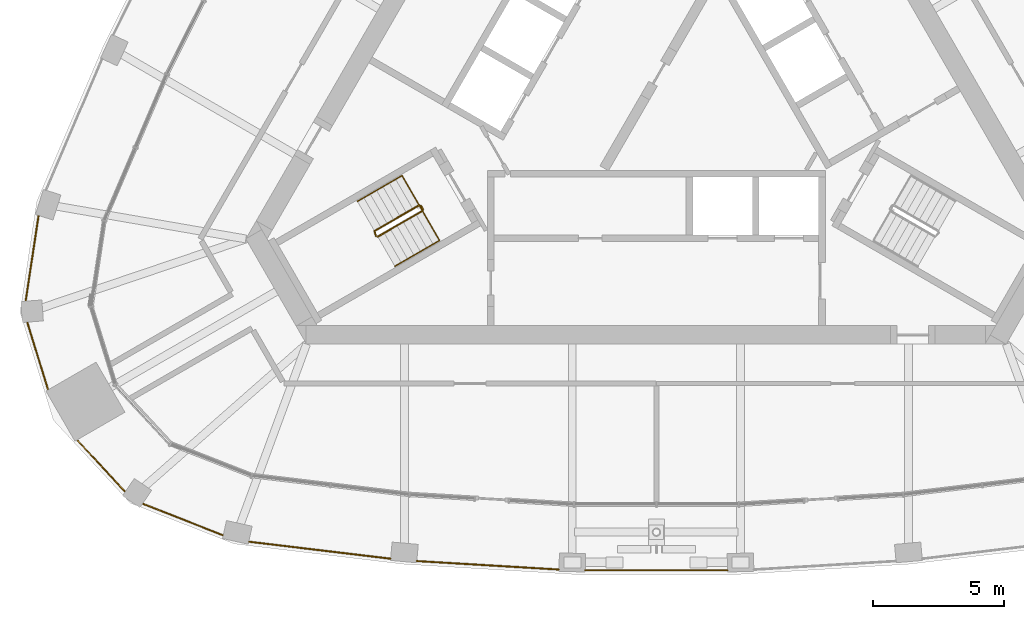
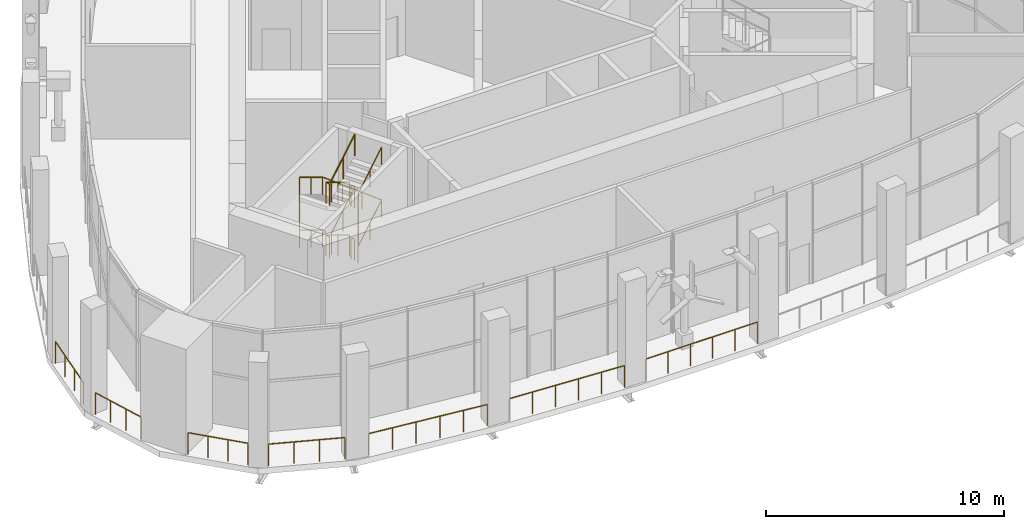
# One storey, part 18 of 23: 13 railings.
"""IFC4 building model written with IfcOpenShell, lengths in metres."""

from ifc_helpers import new_model, si_unit, direction, frame, origin, origin_2d, place, context, subcontext, project, spatial, circle, extrude, material, type_object, element, save


model = new_model("IFC4")

# Units and contexts
model_context = context("Model", 3, precision=1e-05, world=origin(), true_north=direction((0.0, 1.0)))
body_context = subcontext(model_context, "Body", "Model", "MODEL_VIEW")
ifc_project = project(units=[si_unit("LENGTHUNIT", "METRE"), si_unit("AREAUNIT", "SQUARE_METRE"), si_unit("VOLUMEUNIT", "CUBIC_METRE"), si_unit("PLANEANGLEUNIT", "RADIAN"), si_unit("MASSUNIT", "GRAM", prefix="KILO")], contexts=[model_context])

# Site, building, storey
site_placement = place(None, origin())
site = spatial("IfcSite", under=ifc_project, at=site_placement, CompositionType="ELEMENT")
building_placement = place(site_placement, origin())
building = spatial("IfcBuilding", under=site, at=building_placement, Name="Mestral Congress Tower", CompositionType="ELEMENT")
storey_placement = place(building_placement, frame((0.0, 0.0, 261.60009765625)))
storey = spatial("IfcBuildingStorey", under=building, at=storey_placement, Name="L61", CompositionType="ELEMENT", Elevation=261.60009765625)

# Railings
ifc_material_1 = material(Name="Stainless steel", Category="steel")
railing_type_1 = type_object("IfcRailingType", Name="Facade guard 1120 steel and glass", PredefinedType="GUARDRAIL", material=ifc_material_1)
railing_1_placement = place(storey_placement, frame((-15.492431640625, -17.867919921875, 0.0)))
element("IfcRailing", 1, at=railing_1_placement, inside=storey, type_object=railing_type_1, Name="Ring deck guard F0-00", PredefinedType="GUARDRAIL", context=body_context, shape_type="SweptSolid", body=[
    extrude(circle(Radius=0.02392578125, at=origin_2d()), frame((0.0, 0.0, 1.09619140625), z_axis=(0.992890912139, -0.119027881575, 0.0), x_axis=(0.119027881575, 0.992890912139, 0.0)), (0.0, 0.0, 1.0), 5.4150390625),
    extrude(circle(Radius=0.02099609375, at=origin_2d()), origin(), (0.0, 0.0, 1.0), 1.072021484375),
    extrude(circle(Radius=0.02099609375, at=origin_2d()), frame((1.0751953125, -0.12890625, 0.0)), (0.0, 0.0, 1.0), 1.072021484375),
    extrude(circle(Radius=0.02099609375, at=origin_2d()), frame((2.150634765625, -0.2578125, 0.0)), (0.0, 0.0, 1.0), 1.072021484375),
    extrude(circle(Radius=0.02099609375, at=origin_2d()), frame((3.225830078125, -0.38671875, 0.0)), (0.0, 0.0, 1.0), 1.072021484375),
    extrude(circle(Radius=0.02099609375, at=origin_2d()), frame((4.30126953125, -0.515625, 0.0)), (0.0, 0.0, 1.0), 1.072021484375),
    extrude(circle(Radius=0.02099609375, at=origin_2d()), frame((5.37646484375, -0.64453125, 0.0)), (0.0, 0.0, 1.0), 1.072021484375),
])
railing_2_placement = place(storey_placement, frame((-9.109375, -18.602783203125, 0.0)))
element("IfcRailing", 2, at=railing_2_placement, inside=storey, type_object=railing_type_1, Name="Ring deck guard F0-01", PredefinedType="GUARDRAIL", context=body_context, shape_type="SweptSolid", body=[
    extrude(circle(Radius=0.02392578125, at=origin_2d()), frame((0.0, 0.0, 1.09619140625), z_axis=(0.998221492823, -0.059614186786, 0.0), x_axis=(0.059614186786, 0.998221492823, 0.0)), (0.0, 0.0, 1.0), 5.40576171875),
    extrude(circle(Radius=0.02099609375, at=origin_2d()), origin(), (0.0, 0.0, 1.0), 1.072021484375),
    extrude(circle(Radius=0.02099609375, at=origin_2d()), frame((1.079345703125, -0.064453125, 0.0)), (0.0, 0.0, 1.0), 1.072021484375),
    extrude(circle(Radius=0.02099609375, at=origin_2d()), frame((2.158447265625, -0.12890625, 0.0)), (0.0, 0.0, 1.0), 1.072021484375),
    extrude(circle(Radius=0.02099609375, at=origin_2d()), frame((3.23779296875, -0.193359375, 0.0)), (0.0, 0.0, 1.0), 1.072021484375),
    extrude(circle(Radius=0.02099609375, at=origin_2d()), frame((4.31689453125, -0.2578125, 0.0)), (0.0, 0.0, 1.0), 1.072021484375),
    extrude(circle(Radius=0.02099609375, at=origin_2d()), frame((5.396240234375, -0.322265625, 0.0)), (0.0, 0.0, 1.0), 1.072021484375),
])
railing_3_placement = place(storey_placement, frame((-2.702880859375, -18.955078125, 0.0)))
element("IfcRailing", 3, at=railing_3_placement, inside=storey, type_object=railing_type_1, Name="Ring deck guard F0-02", PredefinedType="GUARDRAIL", context=body_context, shape_type="SweptSolid", body=[
    extrude(circle(Radius=0.02392578125, at=origin_2d()), frame((0.0, 0.0, 1.09619140625), z_axis=(1.0, 0.0, 0.0), x_axis=(0.0, 1.0, 0.0)), (0.0, 0.0, 1.0), 5.40576171875),
    extrude(circle(Radius=0.02099609375, at=origin_2d()), origin(), (0.0, 0.0, 1.0), 1.072021484375),
    extrude(circle(Radius=0.02099609375, at=origin_2d()), frame((1.0810546875, 0.0, 0.0)), (0.0, 0.0, 1.0), 1.072021484375),
    extrude(circle(Radius=0.02099609375, at=origin_2d()), frame((2.162353515625, 0.0, 0.0)), (0.0, 0.0, 1.0), 1.072021484375),
    extrude(circle(Radius=0.02099609375, at=origin_2d()), frame((3.243408203125, 0.0, 0.0)), (0.0, 0.0, 1.0), 1.072021484375),
    extrude(circle(Radius=0.02099609375, at=origin_2d()), frame((4.32470703125, 0.0, 0.0)), (0.0, 0.0, 1.0), 1.072021484375),
    extrude(circle(Radius=0.02099609375, at=origin_2d()), frame((5.40576171875, 0.0, 0.0)), (0.0, 0.0, 1.0), 1.072021484375),
])
railing_4_placement = place(storey_placement, frame((-23.5048828125, -5.481201171875, 0.0)))
element("IfcRailing", 4, at=railing_4_placement, inside=storey, type_object=railing_type_1, Name="Ring deck guard K2-0", PredefinedType="GUARDRAIL", context=body_context, shape_type="SweptSolid", body=[
    extrude(circle(Radius=0.02392578125, at=origin_2d()), frame((0.0, 0.0, 1.09619140625), z_axis=(-0.149347311305, -0.988784799947, 0.0), x_axis=(0.988784799947, -0.149347311305, 0.0)), (0.0, 0.0, 1.0), 3.23681640625),
    extrude(circle(Radius=0.02099609375, at=origin_2d()), origin(), (0.0, 0.0, 1.0), 1.072021484375),
    extrude(circle(Radius=0.02099609375, at=origin_2d()), frame((-0.1611328125, -1.06689453125, 0.0)), (0.0, 0.0, 1.0), 1.072021484375),
    extrude(circle(Radius=0.02099609375, at=origin_2d()), frame((-0.322265625, -2.133544921875, 0.0)), (0.0, 0.0, 1.0), 1.072021484375),
    extrude(circle(Radius=0.02099609375, at=origin_2d()), frame((-0.4833984375, -3.200439453125, 0.0)), (0.0, 0.0, 1.0), 1.072021484375),
])
railing_5_placement = place(storey_placement, frame((-23.923583984375, -9.54833984375, 0.0)))
element("IfcRailing", 5, at=railing_5_placement, inside=storey, type_object=railing_type_1, Name="Ring deck guard K2-1", PredefinedType="GUARDRAIL", context=body_context, shape_type="SweptSolid", body=[
    extrude(circle(Radius=0.02392578125, at=origin_2d()), frame((0.0, 0.0, 1.09619140625), z_axis=(0.294706210429, -0.9555879078, 0.0), x_axis=(0.9555879078, 0.294706210429, 0.0)), (0.0, 0.0, 1.0), 2.626953125),
    extrude(circle(Radius=0.02099609375, at=origin_2d()), origin(), (0.0, 0.0, 1.0), 1.072021484375),
    extrude(circle(Radius=0.02099609375, at=origin_2d()), frame((0.258056640625, -0.836669921875, 0.0)), (0.0, 0.0, 1.0), 1.072021484375),
    extrude(circle(Radius=0.02099609375, at=origin_2d()), frame((0.51611328125, -1.673583984375, 0.0)), (0.0, 0.0, 1.0), 1.072021484375),
    extrude(circle(Radius=0.02099609375, at=origin_2d()), frame((0.774169921875, -2.51025390625, 0.0)), (0.0, 0.0, 1.0), 1.072021484375),
])
railing_6_placement = place(storey_placement, frame((-22.017822265625, -14.018798828125, 0.0)))
element("IfcRailing", 6, at=railing_6_placement, inside=storey, type_object=railing_type_1, Name="Ring deck guard K2-2", PredefinedType="GUARDRAIL", context=body_context, shape_type="SweptSolid", body=[
    extrude(circle(Radius=0.02392578125, at=origin_2d()), frame((0.0, 0.0, 1.09619140625), z_axis=(0.680265696543, -0.732965607725, 0.0), x_axis=(0.732965607725, 0.680265696543, 0.0)), (0.0, 0.0, 1.0), 2.626708984375),
    extrude(circle(Radius=0.02099609375, at=origin_2d()), origin(), (0.0, 0.0, 1.0), 1.072021484375),
    extrude(circle(Radius=0.02099609375, at=origin_2d()), frame((0.595703125, -0.641845703125, 0.0)), (0.0, 0.0, 1.0), 1.072021484375),
    extrude(circle(Radius=0.02099609375, at=origin_2d()), frame((1.191162109375, -1.283447265625, 0.0)), (0.0, 0.0, 1.0), 1.072021484375),
    extrude(circle(Radius=0.02099609375, at=origin_2d()), frame((1.786865234375, -1.92529296875, 0.0)), (0.0, 0.0, 1.0), 1.072021484375),
])
railing_7_placement = place(storey_placement, frame((-19.5126953125, -16.43359375, 0.0)))
element("IfcRailing", 7, at=railing_7_placement, inside=storey, type_object=railing_type_1, Name="Ring deck guard K2-3", PredefinedType="GUARDRAIL", context=body_context, shape_type="SweptSolid", body=[
    extrude(circle(Radius=0.02392578125, at=origin_2d()), frame((0.0, 0.0, 1.09619140625), z_axis=(0.930998834996, -0.365022148967, 0.0), x_axis=(0.365022148967, 0.930998834996, 0.0)), (0.0, 0.0, 1.0), 3.236572265625),
    extrude(circle(Radius=0.02099609375, at=origin_2d()), origin(), (0.0, 0.0, 1.0), 1.072021484375),
    extrude(circle(Radius=0.02099609375, at=origin_2d()), frame((1.00439453125, -0.393798828125, 0.0)), (0.0, 0.0, 1.0), 1.072021484375),
    extrude(circle(Radius=0.02099609375, at=origin_2d()), frame((2.0087890625, -0.78759765625, 0.0)), (0.0, 0.0, 1.0), 1.072021484375),
    extrude(circle(Radius=0.02099609375, at=origin_2d()), frame((3.01318359375, -1.181396484375, 0.0)), (0.0, 0.0, 1.0), 1.072021484375),
])
ifc_material_2 = material(Name="Steel balustrade", Category="steel")
railing_type_2 = type_object("IfcRailingType", Name="Stair guard 1100", PredefinedType="GUARDRAIL", material=ifc_material_2)
railing_8_placement = place(storey_placement, frame((-9.02587890625, -5.066650390625, 0.168701171875)))
element("IfcRailing", 8, at=railing_8_placement, inside=storey, type_object=railing_type_2, Name="L61 ST3 stair guard 1", PredefinedType="GUARDRAIL", context=body_context, shape_type="SweptSolid", body=[
    extrude(circle(Radius=0.02392578125, at=origin_2d()), frame((0.0, 0.0, 1.076171875), z_axis=(-0.741771397394, -0.428228158944, 0.516135484049), x_axis=(0.499970440388, -0.866042469362, 0.0)), (0.0, 0.0, 1.0), 2.28857421875),
    extrude(circle(Radius=0.02392578125, at=origin_2d()), frame((-1.697509765625, -0.97998046875, 2.25732421875), z_axis=(0.275815366736, -0.96121063429, 0.0), x_axis=(0.96121063429, 0.275815366736, 0.0)), (0.0, 0.0, 1.0), 0.206298828125),
    extrude(circle(Radius=0.02099609375, at=origin_2d()), origin(), (0.0, 0.0, 1.0), 1.052001953125),
    extrude(circle(Radius=0.02099609375, at=origin_2d()), frame((-0.8486328125, -0.489990234375, 0.590576171875)), (0.0, 0.0, 1.0), 1.052001953125),
    extrude(circle(Radius=0.02099609375, at=origin_2d()), frame((-1.697509765625, -0.97998046875, 1.18115234375)), (0.0, 0.0, 1.0), 1.052001953125),
    extrude(circle(Radius=0.02099609375, at=origin_2d()), frame((-1.640625, -1.17822265625, 1.18115234375)), (0.0, 0.0, 1.0), 1.052001953125),
])
railing_9_placement = place(storey_placement, frame((-10.598388671875, -6.26318359375, 1.5185546875)))
element("IfcRailing", 9, at=railing_9_placement, inside=storey, type_object=railing_type_2, Name="L61 ST3 stair guard 2", PredefinedType="GUARDRAIL", context=body_context, shape_type="SweptSolid", body=[
    extrude(circle(Radius=0.02392578125, at=origin_2d()), frame((0.0, 0.0, 1.076171875), z_axis=(0.741730552229, 0.428204578836, 0.516213741153), x_axis=(-0.499970440388, 0.866042469362, 0.0)), (0.0, 0.0, 1.0), 2.28857421875),
    extrude(circle(Radius=0.02392578125, at=origin_2d()), frame((1.697509765625, 0.97998046875, 2.25732421875), z_axis=(0.258736085224, 0.965948051503, 0.0), x_axis=(-0.965948051503, 0.258736085224, 0.0)), (0.0, 0.0, 1.0), 0.07080078125),
    extrude(circle(Radius=0.02392578125, at=origin_2d()), frame((1.7158203125, 1.04833984375, 2.25732421875), z_axis=(-0.499816412211, 0.866131372301, 0.0), x_axis=(-0.866131372301, -0.499816412211, 0.0)), (0.0, 0.0, 1.0), 0.14990234375),
    extrude(circle(Radius=0.02099609375, at=origin_2d()), origin(), (0.0, 0.0, 1.0), 1.052001953125),
    extrude(circle(Radius=0.02099609375, at=origin_2d()), frame((0.8486328125, 0.489990234375, 0.5908203125)), (0.0, 0.0, 1.0), 1.052001953125),
    extrude(circle(Radius=0.02099609375, at=origin_2d()), frame((1.697509765625, 0.97998046875, 1.181396484375)), (0.0, 0.0, 1.0), 1.052001953125),
    extrude(circle(Radius=0.02099609375, at=origin_2d()), frame((1.7158203125, 1.04833984375, 1.181396484375)), (0.0, 0.0, 1.0), 1.052001953125),
    extrude(circle(Radius=0.02099609375, at=origin_2d()), frame((1.640869140625, 1.17822265625, 1.181396484375)), (0.0, 0.0, 1.0), 1.052001953125),
])
railing_10_placement = place(storey_placement, frame((-9.02587890625, -5.066650390625, 2.86865234375)))
element("IfcRailing", 10, at=railing_10_placement, inside=storey, type_object=railing_type_2, Name="L61 ST3 stair guard 3", PredefinedType="GUARDRAIL", context=body_context, shape_type="SweptSolid", body=[
    extrude(circle(Radius=0.02392578125, at=origin_2d()), frame((0.0, 0.0, 1.076171875), z_axis=(-0.741771397394, -0.428228158944, 0.516135484049), x_axis=(0.499970440388, -0.866042469362, 0.0)), (0.0, 0.0, 1.0), 2.28857421875),
    extrude(circle(Radius=0.02392578125, at=origin_2d()), frame((-1.697509765625, -0.97998046875, 2.25732421875), z_axis=(0.275815366736, -0.96121063429, 0.0), x_axis=(0.96121063429, 0.275815366736, 0.0)), (0.0, 0.0, 1.0), 0.206298828125),
    extrude(circle(Radius=0.02099609375, at=origin_2d()), origin(), (0.0, 0.0, 1.0), 1.052001953125),
    extrude(circle(Radius=0.02099609375, at=origin_2d()), frame((-0.8486328125, -0.489990234375, 0.590576171875)), (0.0, 0.0, 1.0), 1.052001953125),
    extrude(circle(Radius=0.02099609375, at=origin_2d()), frame((-1.697509765625, -0.97998046875, 1.18115234375)), (0.0, 0.0, 1.0), 1.052001953125),
    extrude(circle(Radius=0.02099609375, at=origin_2d()), frame((-1.640625, -1.17822265625, 1.18115234375)), (0.0, 0.0, 1.0), 1.052001953125),
])
railing_11_placement = place(storey_placement, frame((-10.598388671875, -6.26318359375, 4.21875)))
element("IfcRailing", 11, at=railing_11_placement, inside=storey, type_object=railing_type_2, Name="L61 ST3 stair guard 4", PredefinedType="GUARDRAIL", context=body_context, shape_type="SweptSolid", body=[
    extrude(circle(Radius=0.02392578125, at=origin_2d()), frame((0.0, 0.0, 1.076171875), z_axis=(0.741771397394, 0.428228158944, 0.516135484049), x_axis=(-0.499970440388, 0.866042469362, 0.0)), (0.0, 0.0, 1.0), 2.28857421875),
    extrude(circle(Radius=0.02099609375, at=origin_2d()), origin(), (0.0, 0.0, 1.0), 1.052001953125),
    extrude(circle(Radius=0.02099609375, at=origin_2d()), frame((0.8486328125, 0.489990234375, 0.590576171875)), (0.0, 0.0, 1.0), 1.052001953125),
    extrude(circle(Radius=0.02099609375, at=origin_2d()), frame((1.697509765625, 0.97998046875, 1.18115234375)), (0.0, 0.0, 1.0), 1.052001953125),
])
railing_12_placement = place(storey_placement, frame((-8.95751953125, -5.0849609375, 0.0)))
element("IfcRailing", 12, at=railing_12_placement, inside=storey, type_object=railing_type_2, Name="L61 ST3 stair guard 5", PredefinedType="GUARDRAIL", context=body_context, shape_type="SweptSolid", body=[
    extrude(circle(Radius=0.02392578125, at=origin_2d()), frame((0.0, 0.0, 1.076171875), z_axis=(0.499816412211, -0.866131372301, 0.0), x_axis=(0.866131372301, 0.499816412211, 0.0)), (0.0, 0.0, 1.0), 0.14990234375),
    extrude(circle(Radius=0.02099609375, at=origin_2d()), origin(), (0.0, 0.0, 1.0), 1.052001953125),
    extrude(circle(Radius=0.02099609375, at=origin_2d()), frame((0.074951171875, -0.1298828125, 0.0)), (0.0, 0.0, 1.0), 1.052001953125),
])
ifc_material_3 = material(Name="Steel handrail", Category="steel")
railing_type_3 = type_object("IfcRailingType", Name="Stair handrail 900", PredefinedType="HANDRAIL", material=ifc_material_3)
railing_13_placement = place(storey_placement, frame((-9.67578125, -3.94091796875, 0.168701171875)))
element("IfcRailing", 13, at=railing_13_placement, inside=storey, type_object=railing_type_3, Name="L61 ST3 stair handrail 1", PredefinedType="HANDRAIL", context=body_context, shape_type="SweptSolid", body=[
    extrude(circle(Radius=0.02392578125, at=origin_2d()), frame((0.0, 0.0, 0.8759765625), z_axis=(-0.741771397394, -0.428228158944, 0.516135484049), x_axis=(0.499970440388, -0.866042469362, 0.0)), (0.0, 0.0, 1.0), 2.28857421875),
    extrude(circle(Radius=0.02392578125, at=origin_2d()), frame((-1.697509765625, -0.97998046875, 2.05712890625), z_axis=(0.0, 0.0, 1.0), x_axis=(1.0, 0.0, 0.0)), (0.0, 0.0, 1.0), 2.699951171875),
    extrude(circle(Radius=0.02392578125, at=origin_2d()), frame((-1.697509765625, -0.97998046875, 4.7568359375), z_axis=(0.741771397394, 0.428228158944, -0.516135484049), x_axis=(-0.499970440388, 0.866042469362, 0.0)), (0.0, 0.0, 1.0), 2.28857421875),
    extrude(circle(Radius=0.02392578125, at=origin_2d()), frame((0.0, 0.0, 3.57568359375), z_axis=(0.499061461536, -0.86454958467, -0.059090382098), x_axis=(0.866062911188, 0.499935029643, 0.0)), (0.0, 0.0, 1.0), 2.85498046875),
    extrude(circle(Radius=0.02392578125, at=origin_2d()), frame((1.4248046875, -2.46826171875, 3.4072265625), z_axis=(-0.741682559053, -0.428238462606, -0.516254589076), x_axis=(0.500024377727, -0.866011328839, 0.0)), (0.0, 0.0, 1.0), 2.288330078125),
    extrude(circle(Radius=0.02392578125, at=origin_2d()), frame((-0.2724609375, -3.4482421875, 2.2255859375), z_axis=(0.0, 0.0, 1.0), x_axis=(1.0, 0.0, 0.0)), (0.0, 0.0, 1.0), 2.7001953125),
    extrude(circle(Radius=0.02392578125, at=origin_2d()), frame((-0.2724609375, -3.4482421875, 4.92578125), z_axis=(0.74172340804, 0.428262048313, 0.516176330279), x_axis=(-0.500024377727, 0.866011328839, 0.0)), (0.0, 0.0, 1.0), 2.288330078125),
    extrude(circle(Radius=0.02099609375, at=origin_2d()), origin(), (0.0, 0.0, 1.0), 0.851806640625),
    extrude(circle(Radius=0.02099609375, at=origin_2d()), frame((-0.8486328125, -0.489990234375, 0.590576171875)), (0.0, 0.0, 1.0), 0.851806640625),
    extrude(circle(Radius=0.02099609375, at=origin_2d()), frame((-1.697509765625, -0.97998046875, 1.18115234375)), (0.0, 0.0, 1.0), 0.851806640625),
    extrude(circle(Radius=0.02099609375, at=origin_2d()), frame((-1.697509765625, -0.97998046875, 2.0810546875)), (0.0, 0.0, 1.0), 0.851806640625),
    extrude(circle(Radius=0.02099609375, at=origin_2d()), frame((-1.697509765625, -0.97998046875, 2.981201171875)), (0.0, 0.0, 1.0), 0.851806640625),
    extrude(circle(Radius=0.02099609375, at=origin_2d()), frame((-1.697509765625, -0.97998046875, 3.881103515625)), (0.0, 0.0, 1.0), 0.851806640625),
    extrude(circle(Radius=0.02099609375, at=origin_2d()), frame((-0.8486328125, -0.489990234375, 3.29052734375)), (0.0, 0.0, 1.0), 0.851806640625),
    extrude(circle(Radius=0.02099609375, at=origin_2d()), frame((0.0, 0.0, 2.699951171875)), (0.0, 0.0, 1.0), 0.851806640625),
    extrude(circle(Radius=0.02099609375, at=origin_2d()), frame((0.474853515625, -0.82275390625, 2.643798828125)), (0.0, 0.0, 1.0), 0.851806640625),
    extrude(circle(Radius=0.02099609375, at=origin_2d()), frame((0.949951171875, -1.6455078125, 2.58740234375)), (0.0, 0.0, 1.0), 0.851806640625),
    extrude(circle(Radius=0.02099609375, at=origin_2d()), frame((1.4248046875, -2.46826171875, 2.53125)), (0.0, 0.0, 1.0), 0.851806640625),
    extrude(circle(Radius=0.02099609375, at=origin_2d()), frame((0.576171875, -2.958251953125, 1.9404296875)), (0.0, 0.0, 1.0), 0.851806640625),
    extrude(circle(Radius=0.02099609375, at=origin_2d()), frame((-0.2724609375, -3.4482421875, 1.349853515625)), (0.0, 0.0, 1.0), 0.851806640625),
    extrude(circle(Radius=0.02099609375, at=origin_2d()), frame((-0.2724609375, -3.4482421875, 2.25)), (0.0, 0.0, 1.0), 0.851806640625),
    extrude(circle(Radius=0.02099609375, at=origin_2d()), frame((-0.2724609375, -3.4482421875, 3.14990234375)), (0.0, 0.0, 1.0), 0.851806640625),
    extrude(circle(Radius=0.02099609375, at=origin_2d()), frame((-0.2724609375, -3.4482421875, 4.050048828125)), (0.0, 0.0, 1.0), 0.851806640625),
    extrude(circle(Radius=0.02099609375, at=origin_2d()), frame((0.576171875, -2.958251953125, 4.640625)), (0.0, 0.0, 1.0), 0.851806640625),
    extrude(circle(Radius=0.02099609375, at=origin_2d()), frame((1.4248046875, -2.46826171875, 5.231201171875)), (0.0, 0.0, 1.0), 0.851806640625),
])

save(model, "model.ifc")
